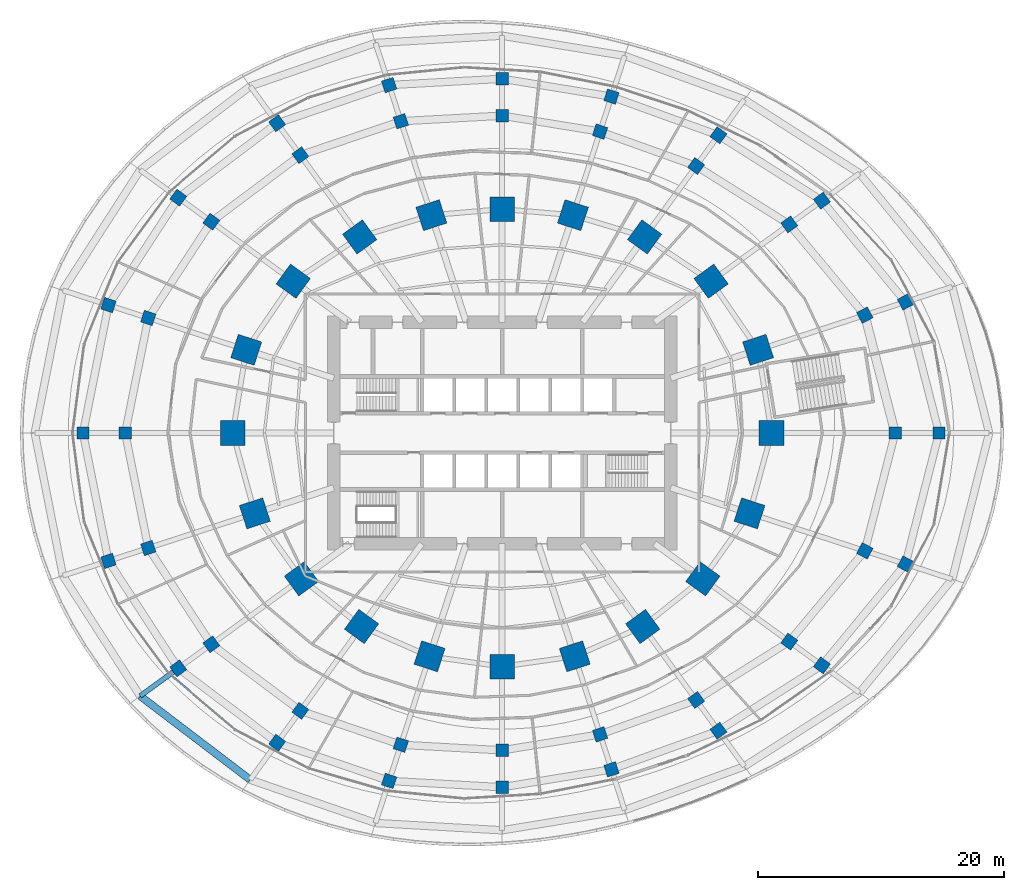
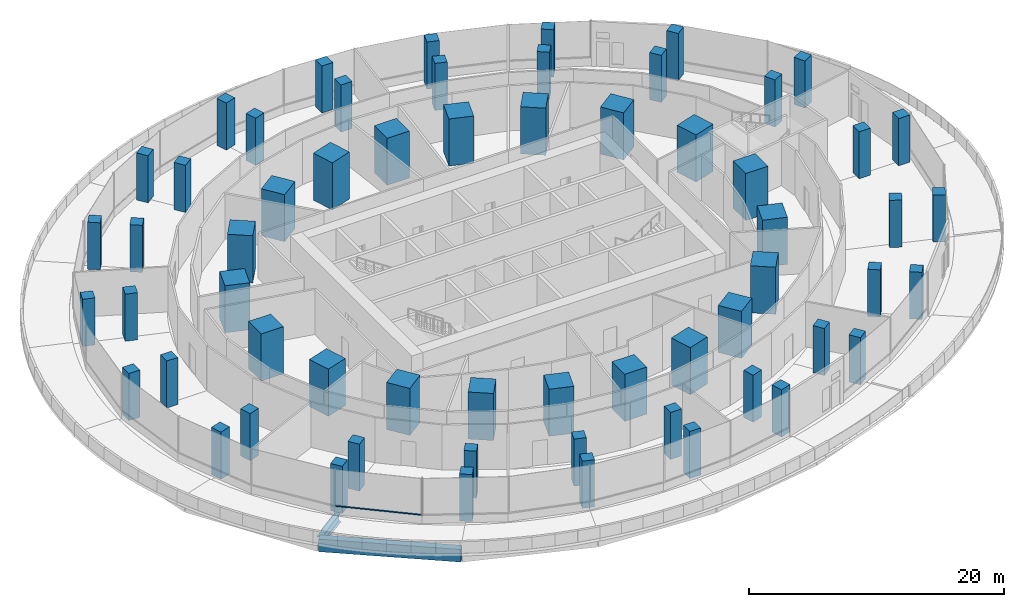
# One storey, part 1 of 27: 60 columns, 2 beams, 1 member, 1 element without a shape of its own.
"""IFC4 building model written with IfcOpenShell, lengths in metres."""

from ifc_helpers import new_model, si_unit, direction, frame, origin, origin_2d, place, context, subcontext, project, spatial, rectangle, i_section, extrude, material, material_profile, profile_set, type_object, element, aggregate, save


model = new_model("IFC4")

# Units and contexts
model_context = context("Model", 3, precision=1e-05, world=origin(), true_north=direction((0.0, 1.0)))
body_context = subcontext(model_context, "Body", "Model", "MODEL_VIEW")
ifc_project = project(units=[si_unit("LENGTHUNIT", "METRE"), si_unit("AREAUNIT", "SQUARE_METRE"), si_unit("VOLUMEUNIT", "CUBIC_METRE"), si_unit("PLANEANGLEUNIT", "RADIAN"), si_unit("MASSUNIT", "GRAM", prefix="KILO")], contexts=[model_context])

# Site, building, storey
site_placement = place(None, origin())
site = spatial("IfcSite", under=ifc_project, at=site_placement, CompositionType="ELEMENT")
building_placement = place(site_placement, origin())
building = spatial("IfcBuilding", under=site, at=building_placement, Name="Marramba Exchange Tower", CompositionType="ELEMENT")
storey_placement = place(building_placement, frame((0.0, 0.0, 10.60009765625)))
storey = spatial("IfcBuildingStorey", under=building, at=storey_placement, Name="L02", CompositionType="ELEMENT", Elevation=10.60009765625)

# Columns
ifc_material_1 = material(Name="Concrete N50", Category="concrete")
ifc_material_profile_1 = material_profile(ifc_material_1, rectangle(XDim=2.0, YDim=2.0, at=origin_2d()), Name="RC 2000x2000")
ifc_profile_set_1 = profile_set([ifc_material_profile_1], Name="Concrete N50")
column_type_1 = type_object("IfcColumnType", Name="Perimeter column RC 2000x2000 N50", PredefinedType="COLUMN", material=ifc_profile_set_1)
for number, where, z_axis, x_axis, name in (
    (1, (21.89990234375, 0.0, 0.0), (0.0, 0.0, 1.0), (1.0, 0.0, 0.0), "Column TC01 L02"),
    (2, (20.808349609375, 6.760986328125, 0.0), (0.0, 0.0, 1.0), (0.951056516295, 0.309016994375, 0.0), "Column TC02 L02"),
    (3, (16.98583984375, 12.3408203125, 0.0), (0.0, 0.0, 1.0), (0.809016994375, 0.587785252292, 0.0), "Column TC03 L02"),
    (4, (11.581298828125, 15.9404296875, 0.0), (0.0, 0.0, 1.0), (0.587785252292, 0.809016994375, 0.0), "Column TC04 L02"),
    (5, (5.75390625, 17.70849609375, 0.0), (0.0, 0.0, 1.0), (0.309016994375, 0.951056516295, 0.0), "Column TC05 L02"),
    (6, (0.0, 18.2041015625, 0.0), (0.0, 0.0, 1.0), (0.0, 1.0, 0.0), "Column TC06 L02"),
    (7, (-5.75390625, 17.70849609375, 0.0), (0.0, 0.0, 1.0), (-0.309016994375, 0.951056516295, 0.0), "Column TC07 L02"),
    (8, (-11.581298828125, 15.9404296875, 0.0), (0.0, 0.0, 1.0), (-0.587785252292, 0.809016994375, 0.0), "Column TC08 L02"),
    (9, (-16.98583984375, 12.3408203125, 0.0), (0.0, 0.0, 1.0), (-0.809016994375, 0.587785252292, 0.0), "Column TC09 L02"),
    (10, (-20.808349609375, 6.760986328125, 0.0), (0.0, 0.0, 1.0), (-0.951056516295, 0.309016994375, 0.0), "Column TC10 L02"),
    (11, (-21.89990234375, 0.0, 0.0), (0.0, 0.0, 1.0), (-1.0, 0.0, 0.0), "Column TC11 L02"),
    (12, (-20.109375, -6.533935546875, 0.0), (0.0, 0.0, 1.0), (-0.951056516295, -0.309016994375, 0.0), "Column TC12 L02"),
    (13, (-16.3154296875, -11.853759765625, 0.0), (0.0, 0.0, 1.0), (-0.809016994375, -0.587785252292, 0.0), "Column TC13 L02"),
    (14, (-11.430419921875, -15.732666015625, 0.0), (0.0, 0.0, 1.0), (-0.587785252292, -0.809016994375, 0.0), "Column TC14 L02"),
    (15, (-5.899658203125, -18.156982421875, 0.0), (0.0, 0.0, 1.0), (-0.309016994375, -0.951056516295, 0.0), "Column TC15 L02"),
    (16, (0.0, -18.99609375, 0.0), (0.0, 0.0, 1.0), (0.0, -1.0, 0.0), "Column TC16 L02"),
    (17, (5.899658203125, -18.156982421875, 0.0), (0.0, 0.0, 1.0), (0.309016994375, -0.951056516295, 0.0), "Column TC17 L02"),
    (18, (11.430419921875, -15.732666015625, 0.0), (0.0, 0.0, 1.0), (0.587785252292, -0.809016994375, 0.0), "Column TC18 L02"),
    (19, (16.3154296875, -11.853759765625, 0.0), (0.0, 0.0, 1.0), (0.809016994375, -0.587785252292, 0.0), "Column TC19 L02"),
    (20, (20.109375, -6.533935546875, 0.0), (0.0, 0.0, 1.0), (0.951056516295, -0.309016994375, 0.0), "Column TC20 L02"),
):
    element("IfcColumn", number, at=place(storey_placement, frame(where, z_axis=z_axis, x_axis=x_axis)), inside=storey, type_object=column_type_1, Name=name, PredefinedType="COLUMN", context=body_context, shape_type="SweptSolid", body=[
        extrude(rectangle(XDim=2.0, YDim=2.0, at=origin_2d()), origin(), (0.0, 0.0, 1.0), 4.5),
    ])
ifc_material_profile_2 = material_profile(ifc_material_1, rectangle(XDim=1.0, YDim=1.0, at=origin_2d()), Name="RC 1000x1000")
ifc_profile_set_2 = profile_set([ifc_material_profile_2], Name="Concrete N50")
column_type_2 = type_object("IfcColumnType", Name="Podium column RC 1000x1000 N50", PredefinedType="COLUMN", material=ifc_profile_set_2)
for number, where, z_axis, x_axis, name in (
    (21, (35.52001953125, 0.0, 0.0), (0.0, 0.0, 1.0), (1.0, 0.0, 0.0), "Column P2C01 L02"),
    (22, (32.793701171875, 10.6552734375, 0.0), (0.0, 0.0, 1.0), (0.885353211435, 0.46491901553, 0.0), "Column P2C02 L02"),
    (23, (25.99658203125, 18.8876953125, 0.0), (0.0, 0.0, 1.0), (0.809016994375, 0.587785252292, 0.0), "Column P2C03 L02"),
    (24, (17.585205078125, 24.203857421875, 0.0), (0.0, 0.0, 1.0), (0.587785252292, 0.809016994375, 0.0), "Column P2C04 L02"),
    (25, (8.8857421875, 27.347412109375, 0.0), (0.0, 0.0, 1.0), (0.309016994375, 0.951056516295, 0.0), "Column P2C05 L02"),
    (26, (0.0, 28.800048828125, 0.0), (0.0, 0.0, 1.0), (0.0, 1.0, 0.0), "Column P2C06 L02"),
    (27, (-9.190185546875, 28.28466796875, 0.0), (0.0, 0.0, 1.0), (-0.309016994375, 0.951056516295, 0.0), "Column P2C07 L02"),
    (28, (-18.29443359375, 25.18017578125, 0.0), (0.0, 0.0, 1.0), (-0.587785252292, 0.809016994375, 0.0), "Column P2C08 L02"),
    (29, (-26.33203125, 19.13134765625, 0.0), (0.0, 0.0, 1.0), (-0.809016994375, 0.587785252292, 0.0), "Column P2C09 L02"),
    (30, (-32.005126953125, 10.399169921875, 0.0), (0.0, 0.0, 1.0), (-0.951056516295, 0.309016994375, 0.0), "Column P2C10 L02"),
    (31, (-34.080078125, 0.0, 0.0), (0.0, 0.0, 1.0), (-1.0, 0.0, 0.0), "Column P2C11 L02"),
    (32, (-32.005126953125, -10.399169921875, 0.0), (0.0, 0.0, 1.0), (-0.951056516295, -0.309016994375, 0.0), "Column P2C12 L02"),
    (33, (-26.33203125, -19.13134765625, 0.0), (0.0, 0.0, 1.0), (-0.809016994375, -0.587785252292, 0.0), "Column P2C13 L02"),
    (34, (-18.29443359375, -25.18017578125, 0.0), (0.0, 0.0, 1.0), (-0.587785252292, -0.809016994375, 0.0), "Column P2C14 L02"),
    (35, (-9.190185546875, -28.28466796875, 0.0), (0.0, 0.0, 1.0), (-0.309016994375, -0.951056516295, 0.0), "Column P2C15 L02"),
    (36, (0.0, -28.800048828125, 0.0), (0.0, 0.0, 1.0), (0.0, -1.0, 0.0), "Column P2C16 L02"),
    (37, (8.8857421875, -27.347412109375, 0.0), (0.0, 0.0, 1.0), (0.309016994375, -0.951056516295, 0.0), "Column P2C17 L02"),
    (38, (17.585205078125, -24.203857421875, 0.0), (0.0, 0.0, 1.0), (0.587785252292, -0.809016994375, 0.0), "Column P2C18 L02"),
    (39, (25.99658203125, -18.8876953125, 0.0), (0.0, 0.0, 1.0), (0.809016994375, -0.587785252292, 0.0), "Column P2C19 L02"),
    (40, (32.793701171875, -10.6552734375, 0.0), (0.0, 0.0, 1.0), (0.885353211435, -0.46491901553, 0.0), "Column P2C20 L02"),
    (41, (31.949951171875, 0.0, 0.0), (0.0, 0.0, 1.0), (1.0, 0.0, 0.0), "Column P3C01 L02"),
    (42, (29.48193359375, 9.579345703125, 0.0), (0.0, 0.0, 1.0), (0.884188111274, 0.467131013616, 0.0), "Column P3C02 L02"),
    (43, (23.34228515625, 16.959228515625, 0.0), (0.0, 0.0, 1.0), (0.809016994375, 0.587785252292, 0.0), "Column P3C03 L02"),
    (44, (15.769775390625, 21.705078125, 0.0), (0.0, 0.0, 1.0), (0.587785252292, 0.809016994375, 0.0), "Column P3C04 L02"),
    (45, (7.9619140625, 24.50390625, 0.0), (0.0, 0.0, 1.0), (0.309016994375, 0.951056516295, 0.0), "Column P3C05 L02"),
    (46, (0.0, 25.800048828125, 0.0), (0.0, 0.0, 1.0), (0.0, 1.0, 0.0), "Column P3C06 L02"),
    (47, (-8.23583984375, 25.347412109375, 0.0), (0.0, 0.0, 1.0), (-0.309016994375, 0.951056516295, 0.0), "Column P3C07 L02"),
    (48, (-16.40869140625, 22.58447265625, 0.0), (0.0, 0.0, 1.0), (-0.587785252292, 0.809016994375, 0.0), "Column P3C08 L02"),
    (49, (-23.644775390625, 17.178955078125, 0.0), (0.0, 0.0, 1.0), (-0.809016994375, 0.587785252292, 0.0), "Column P3C09 L02"),
    (50, (-28.770263671875, 9.34814453125, 0.0), (0.0, 0.0, 1.0), (-0.951056516295, 0.309016994375, 0.0), "Column P3C10 L02"),
    (51, (-30.64990234375, 0.0, 0.0), (0.0, 0.0, 1.0), (-1.0, 0.0, 0.0), "Column P3C11 L02"),
    (52, (-28.770263671875, -9.34814453125, 0.0), (0.0, 0.0, 1.0), (-0.951056516295, -0.309016994375, 0.0), "Column P3C12 L02"),
    (53, (-23.644775390625, -17.178955078125, 0.0), (0.0, 0.0, 1.0), (-0.809016994375, -0.587785252292, 0.0), "Column P3C13 L02"),
    (54, (-16.40869140625, -22.58447265625, 0.0), (0.0, 0.0, 1.0), (-0.587785252292, -0.809016994375, 0.0), "Column P3C14 L02"),
    (55, (-8.23583984375, -25.347412109375, 0.0), (0.0, 0.0, 1.0), (-0.309016994375, -0.951056516295, 0.0), "Column P3C15 L02"),
    (56, (0.0, -25.800048828125, 0.0), (0.0, 0.0, 1.0), (0.0, -1.0, 0.0), "Column P3C16 L02"),
    (57, (7.9619140625, -24.50390625, 0.0), (0.0, 0.0, 1.0), (0.309016994375, -0.951056516295, 0.0), "Column P3C17 L02"),
    (58, (15.769775390625, -21.705078125, 0.0), (0.0, 0.0, 1.0), (0.587785252292, -0.809016994375, 0.0), "Column P3C18 L02"),
    (59, (23.34228515625, -16.959228515625, 0.0), (0.0, 0.0, 1.0), (0.809016994375, -0.587785252292, 0.0), "Column P3C19 L02"),
    (60, (29.48193359375, -9.579345703125, 0.0), (0.0, 0.0, 1.0), (0.884188111274, -0.467131013616, 0.0), "Column P3C20 L02"),
):
    element("IfcColumn", number, at=place(storey_placement, frame(where, z_axis=z_axis, x_axis=x_axis)), inside=storey, type_object=column_type_2, Name=name, PredefinedType="COLUMN", context=body_context, shape_type="SweptSolid", body=[
        extrude(rectangle(XDim=1.0, YDim=1.0, at=origin_2d()), origin(), (0.0, 0.0, 1.0), 4.5),
    ])

# Beam
ifc_material_profile_3 = material_profile(ifc_material_1, rectangle(XDim=0.60009765625, YDim=1.199951171875, at=origin_2d()), Name="RC 600x1200")
ifc_profile_set_3 = profile_set([ifc_material_profile_3], Name="Concrete N50")
beam_type_1 = type_object("IfcBeamType", Name="Edge beam RC 600x1200 N50", PredefinedType="SPANDREL", material=ifc_profile_set_3)
beam_1_placement = place(storey_placement, frame((-29.430908203125, -21.3828125, -0.85009765625), z_axis=(0.795801398517, -0.605557705027, 0.0), x_axis=(0.605557705027, 0.795801398517, 0.0)))
element("IfcBeam", 61, at=beam_1_placement, inside=storey, type_object=beam_type_1, Name="Edge beam L02 P1C13", PredefinedType="SPANDREL", context=body_context, shape_type="SweptSolid", body=[
    extrude(rectangle(XDim=0.60009765625, YDim=1.199951171875, at=origin_2d()), origin(), (0.0, 0.0, 1.0), 11.244384765625),
])

# Curtain wall, member
ifc_material_2 = material(Name="Aluminium framing, bronze anodised", Category="aluminium")
curtain_wall_type = type_object("IfcCurtainWallType", Name="Podium ribbon curtain wall", PredefinedType="USERDEFINED", material=ifc_material_2)
curtain_wall_placement = place(storey_placement, origin())
curtain_wall = element("IfcCurtainWall", 62, at=curtain_wall_placement, inside=storey, type_object=curtain_wall_type, Name="Curtain wall CW2 L02 F16-F20", ObjectType="RIBBON CURTAIN WALL", PredefinedType="USERDEFINED")
ifc_material_3 = material(Name="Aluminium transom, bronze anodised", Category="aluminium")
ifc_material_profile_4 = material_profile(ifc_material_3, rectangle(XDim=0.06005859375, YDim=0.1201171875, at=origin_2d()), Name="CW2 transom 60x120")
ifc_profile_set_4 = profile_set([ifc_material_profile_4], Name="Aluminium transom, bronze anodised")
member_type = type_object("IfcMemberType", Name="Podium ribbon curtain wall transom", PredefinedType="USERDEFINED", material=ifc_profile_set_4)
member_placement = place(storey_placement, frame((-26.973876953125, -19.669677734375, 0.829833984375), z_axis=(0.762639488694, -0.646823786116, 0.0), x_axis=(0.646823786116, 0.762639488694, 0.0)))
member = element("IfcMember", 63, at=member_placement, type_object=member_type, Name="CW2 sill transom", ObjectType="TRANSOM", PredefinedType="USERDEFINED", context=body_context, shape_type="SweptSolid", body=[
    extrude(rectangle(XDim=0.06005859375, YDim=0.1201171875, at=origin_2d()), origin(), (0.0, 0.0, 1.0), 6.886962890625),
])
aggregate(curtain_wall, [member])

# Beam
ifc_material_4 = material(Name="Steel AS/NZS 3679.2 grade 300", Category="steel")
ifc_material_profile_5 = material_profile(ifc_material_4, i_section(OverallWidth=0.39990234375, OverallDepth=0.89990234375, WebThickness=0.01611328125, FlangeThickness=0.031982421875, at=origin_2d()), Name="900WB282")
ifc_profile_set_5 = profile_set([ifc_material_profile_5], Name="Steel AS/NZS 3679.2 grade 300")
beam_type_2 = type_object("IfcBeamType", Name="Radial girder 900WB282", PredefinedType="BEAM", material=ifc_profile_set_5)
beam_2_placement = place(storey_placement, frame((-29.430908203125, -21.3828125, -0.7001953125), z_axis=(0.809017124945, 0.587785072579, 0.0), x_axis=(-0.587785072579, 0.809017124945, 0.0)))
element("IfcBeam", 64, at=beam_2_placement, inside=storey, type_object=beam_type_2, Name="Radial girder L02 P1C13", PredefinedType="BEAM", context=body_context, shape_type="SweptSolid", body=[
    extrude(i_section(OverallWidth=0.39990234375, OverallDepth=0.89990234375, WebThickness=0.01611328125, FlangeThickness=0.031982421875, at=origin_2d()), origin(), (0.0, 0.0, 1.0), 3.830322265625),
])

save(model, "model.ifc")
